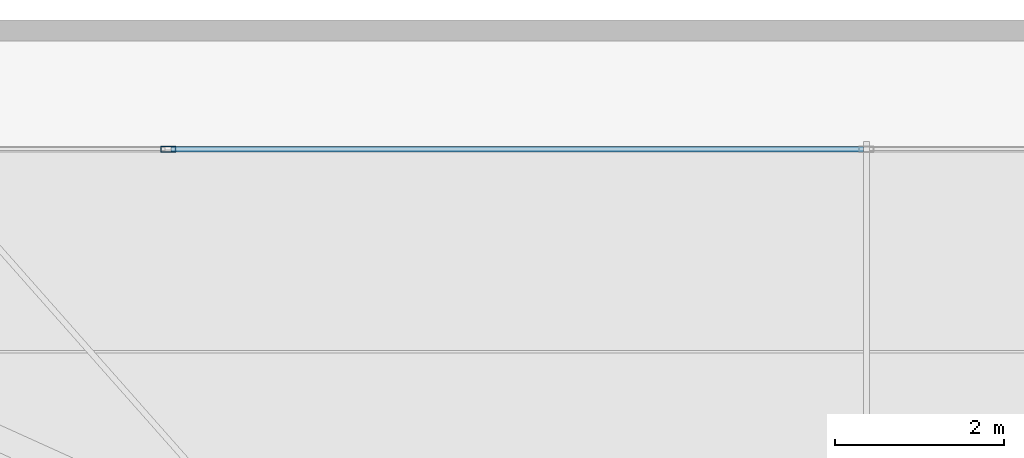
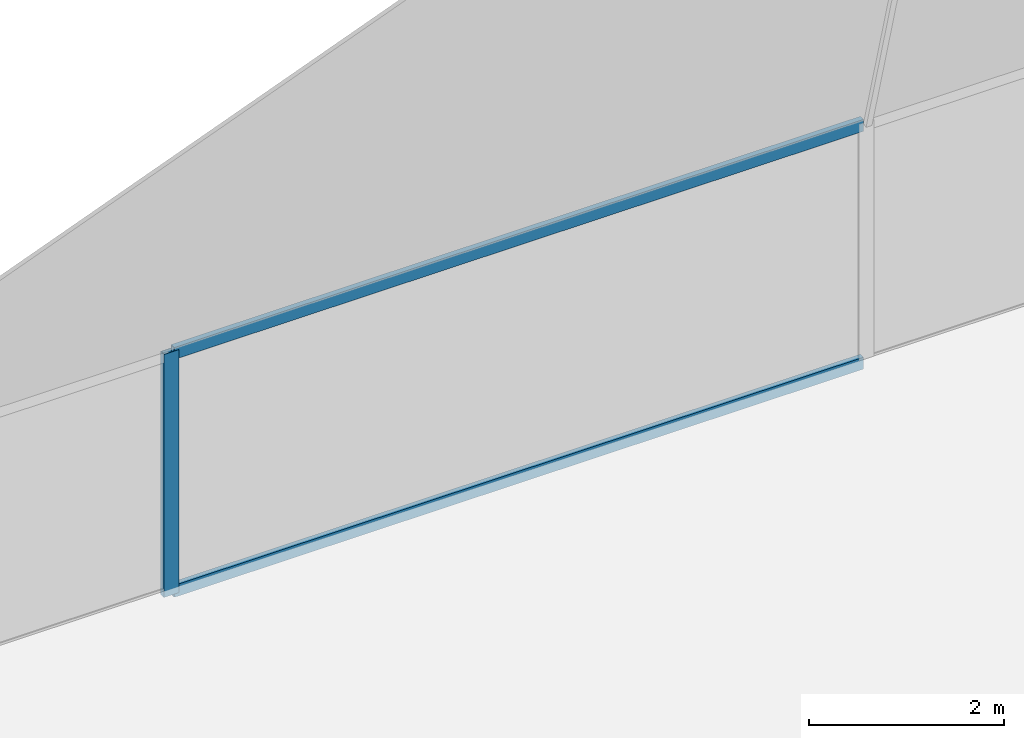
# One storey, part 23 of 32: 3 members, 1 element without a shape of its own.
"""IFC4 building model written with IfcOpenShell, lengths in metres."""

from ifc_helpers import new_model, si_unit, direction, frame, origin, origin_2d, place, context, subcontext, project, spatial, hollow_rectangle, extrude, source, transform, mapped, material, layer, layer_set, material_profile, profile_set, type_object, element, aggregate, save


model = new_model("IFC4")

# Units and contexts
model_context = context("Model", 3, precision=1e-05, world=origin(), true_north=direction((0.0, 1.0)))
body_context = subcontext(model_context, "Body", "Model", "MODEL_VIEW")
ifc_project = project(units=[si_unit("LENGTHUNIT", "METRE"), si_unit("AREAUNIT", "SQUARE_METRE"), si_unit("VOLUMEUNIT", "CUBIC_METRE"), si_unit("PLANEANGLEUNIT", "RADIAN"), si_unit("MASSUNIT", "GRAM", prefix="KILO")], contexts=[model_context])

# Site, building, storey
site_placement = place(None, origin())
site = spatial("IfcSite", under=ifc_project, at=site_placement, CompositionType="ELEMENT")
building_placement = place(site_placement, origin())
building = spatial("IfcBuilding", under=site, at=building_placement, Name="Sumidabori Civic Tower", CompositionType="ELEMENT")
storey_placement = place(building_placement, frame((0.0, 0.0, 298.199951171875)))
storey = spatial("IfcBuildingStorey", under=building, at=storey_placement, Name="RF Roof Crown", CompositionType="ELEMENT", Elevation=298.199951171875)

# Curtain wall, members
ifc_material = material(Name="Anodised Bronze Aluminium AW-6063-T6", Category="aluminium")
ifc_layer = layer(ifc_material, 0.179931640625, Name="Anodised Bronze Aluminium AW-6063-T6")
ifc_layer_set = layer_set([ifc_layer], Name="Anodised Bronze Aluminium AW-6063-T6")
curtain_wall_type = type_object("IfcCurtainWallType", Name="CW-SYS-6", PredefinedType="NOTDEFINED", material=ifc_layer_set)
curtain_wall_placement = place(storey_placement, origin())
curtain_wall = element("IfcCurtainWall", 1, at=curtain_wall_placement, inside=storey, type_object=curtain_wall_type, Name="Glass-Point Crown North Shoulder Curtain Wall", PredefinedType="NOTDEFINED")
ifc_material_profile_1 = material_profile(ifc_material, hollow_rectangle(XDim=0.070068359375, YDim=0.179931640625, WallThickness=0.006103515625, at=origin_2d()), Name="ALU MULLION 180x70")
ifc_profile_set_1 = profile_set([ifc_material_profile_1], Name="Anodised Bronze Aluminium AW-6063-T6")
member_type_1 = type_object("IfcMemberType", Name="CW-MUL-180", PredefinedType="MULLION", material=ifc_profile_set_1)
shared_shape_1 = source(origin(), body_context, "Body", "SweptSolid", [
    extrude(hollow_rectangle(XDim=0.070068359375, YDim=0.179931640625, WallThickness=0.006103515625, at=origin_2d()), origin(), (0.0, 0.0, 1.0), 3.050048828125),
])
member_1_placement = place(storey_placement, frame((-8.25, 22.800048828125, 0.0), z_axis=(0.0, 0.0, 1.0), x_axis=(0.0, -1.0, 0.0)))
member_1 = element("IfcMember", 2, at=member_1_placement, type_object=member_type_1, Name="CW-6 mullion 4", PredefinedType="MULLION", context=body_context, shape_type="MappedRepresentation", body=[
    mapped(shared_shape_1, transform((0.0, 0.0, 0.0), x_axis=(1.0, 0.0, 0.0), y_axis=(0.0, 1.0, 0.0), z_axis=(0.0, 0.0, 1.0), scale=1.0)),
])
ifc_material_profile_2 = material_profile(ifc_material, hollow_rectangle(XDim=0.06494140625, YDim=0.14990234375, WallThickness=0.0048828125, at=origin_2d()), Name="ALU TRANSOM 150x65")
ifc_profile_set_2 = profile_set([ifc_material_profile_2], Name="Anodised Bronze Aluminium AW-6063-T6")
member_type_2 = type_object("IfcMemberType", Name="CW-TRN-150", PredefinedType="USERDEFINED", material=ifc_profile_set_2)
shared_shape_2 = source(origin(), body_context, "Body", "SweptSolid", [
    extrude(hollow_rectangle(XDim=0.06494140625, YDim=0.14990234375, WallThickness=0.0048828125, at=origin_2d()), origin(), (0.0, 0.0, 1.0), 8.18017578125),
])
member_2_placement = place(storey_placement, frame((-0.034912109375, 22.800048828125, 0.032470703125), z_axis=(-1.0, 0.0, 0.0), x_axis=(0.0, -1.0, 0.0)))
member_2 = element("IfcMember", 3, at=member_2_placement, type_object=member_type_2, Name="CW-6 transom 3.1", ObjectType="TRANSOM", PredefinedType="USERDEFINED", context=body_context, shape_type="MappedRepresentation", body=[
    mapped(shared_shape_2, transform((0.0, 0.0, 0.0), x_axis=(1.0, 0.0, 0.0), y_axis=(0.0, 1.0, 0.0), z_axis=(0.0, 0.0, 1.0), scale=1.0)),
])
member_3_placement = place(storey_placement, frame((-0.034912109375, 22.800048828125, 3.017578125), z_axis=(-1.0, 0.0, 0.0), x_axis=(0.0, -1.0, 0.0)))
member_3 = element("IfcMember", 4, at=member_3_placement, type_object=member_type_2, Name="CW-6 transom 3.2", ObjectType="TRANSOM", PredefinedType="USERDEFINED", context=body_context, shape_type="MappedRepresentation", body=[
    mapped(shared_shape_2, transform((0.0, 0.0, 0.0), x_axis=(1.0, 0.0, 0.0), y_axis=(0.0, 1.0, 0.0), z_axis=(0.0, 0.0, 1.0), scale=1.0)),
])
aggregate(curtain_wall, [member_1, member_2, member_3])

save(model, "model.ifc")
